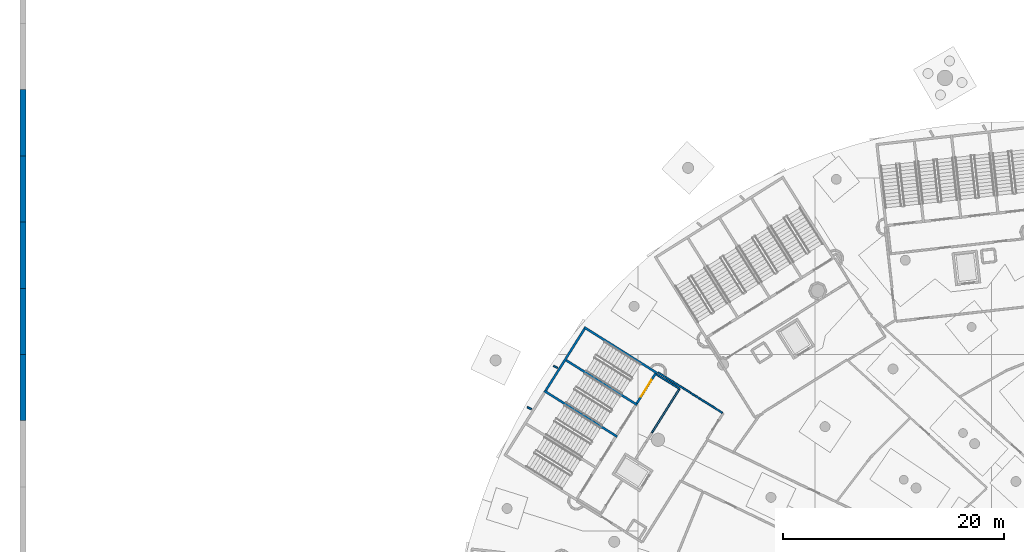
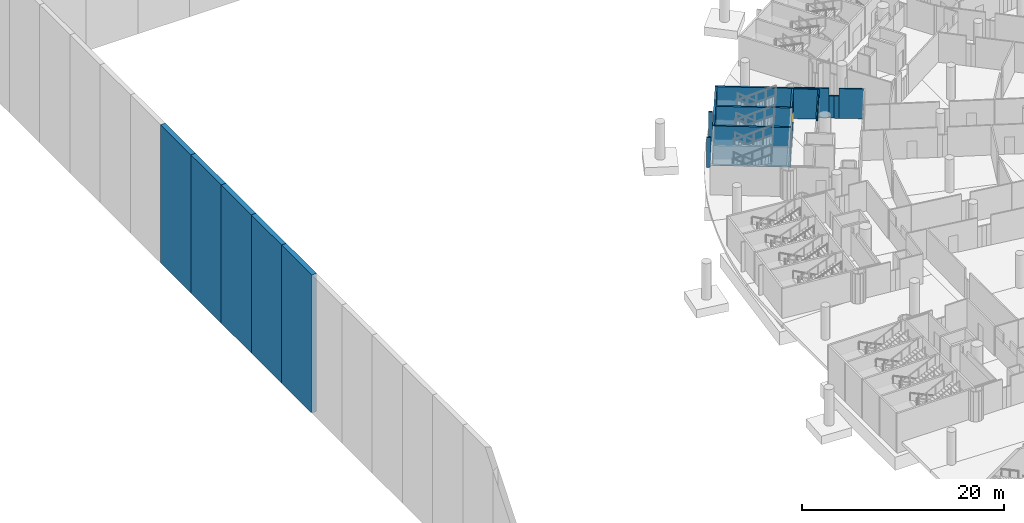
# One storey, part 73 of 142: 18 walls, 1 door, 1 opening.
"""IFC4 building model written with IfcOpenShell, lengths in metres."""

from ifc_helpers import new_model, si_unit, direction, frame, frame_2d, origin, place, context, subcontext, project, spatial, rectangle, extrude, material, layer, layer_set, type_object, element, fill, save


model = new_model("IFC4")

# Units and contexts
model_context = context("Model", 3, precision=1e-05, world=origin(), true_north=direction((0.0, 1.0)))
body_context = subcontext(model_context, "Body", "Model", "MODEL_VIEW")
ifc_project = project(units=[si_unit("LENGTHUNIT", "METRE"), si_unit("AREAUNIT", "SQUARE_METRE"), si_unit("VOLUMEUNIT", "CUBIC_METRE"), si_unit("PLANEANGLEUNIT", "RADIAN"), si_unit("MASSUNIT", "GRAM", prefix="KILO")], contexts=[model_context])

# Site, building, storey
site_placement = place(None, origin())
site = spatial("IfcSite", under=ifc_project, at=site_placement, CompositionType="ELEMENT")
building_placement = place(site_placement, origin())
building = spatial("IfcBuilding", under=site, at=building_placement, Name="Meseta Stadium", CompositionType="ELEMENT")
storey_placement = place(building_placement, frame((0.0, 0.0, -4.0)))
storey = spatial("IfcBuildingStorey", under=building, at=storey_placement, Name="B1", CompositionType="ELEMENT", Elevation=-4.0)

# Walls
ifc_material_1 = material(Name="Concrete C40/50", Category="concrete")
ifc_layer_1 = layer(ifc_material_1, 0.199951171875)
ifc_layer_set_1 = layer_set([ifc_layer_1], Name="Core divider wall 200")
wall_type_1 = type_object("IfcWallType", Name="Core divider wall 200", PredefinedType="SHEAR", material=ifc_layer_set_1)
wall_1_placement = place(storey_placement, frame((-86.696533203125, 79.5869140625, -1.199951171875), z_axis=(0.0, 0.0, 1.0), x_axis=(0.846713903605, -0.532048461553, 0.0)))
element("IfcWall", 1, at=wall_1_placement, inside=storey, type_object=wall_type_1, Name="Core 14 B1 stair A divider wall", PredefinedType="SHEAR", context=body_context, shape_type="SweptSolid", body=[
    extrude(rectangle(XDim=7.7998046875, YDim=0.199951171875, at=frame_2d((3.89990234375, 0.0))), origin(), (0.0, 0.0, 1.0), 4.800048828125),
])
ifc_material_2 = material(Name="Concrete C40/50", Category="concrete")
ifc_layer_2 = layer(ifc_material_2, 0.199951171875)
ifc_layer_set_2 = layer_set([ifc_layer_2], Name="Core shaft wall 200")
wall_type_2 = type_object("IfcWallType", Name="Core shaft wall 200", PredefinedType="SHEAR", material=ifc_layer_set_2)
for number, where, z_axis, x_axis, name in (
    (2, (-84.8876953125, 82.4658203125, -1.199951171875), (0.0, 0.0, 1.0), (0.846722763703, -0.532034361135, 0.0), "Core 14 B1 stair wall A-side"),
    (3, (-88.505615234375, 76.7080078125, -1.199951171875), (0.0, 0.0, 1.0), (0.846722763703, -0.532034361135, 0.0), "Core 14 B1 stair wall shared"),
):
    element("IfcWall", number, at=place(storey_placement, frame(where, z_axis=z_axis, x_axis=x_axis)), inside=storey, type_object=wall_type_2, Name=name, PredefinedType="SHEAR", context=body_context, shape_type="SweptSolid", body=[
        extrude(rectangle(XDim=7.800048828125, YDim=0.199951171875, at=frame_2d((3.89990234375, 0.0))), origin(), (0.0, 0.0, 1.0), 4.800048828125),
    ])
wall_2_placement = place(storey_placement, frame((-84.856201171875, 82.327880859375, -1.199951171875), z_axis=(0.0, 0.0, 1.0), x_axis=(-0.532038964807, -0.846719870989, 0.0)))
element("IfcWall", 4, at=wall_2_placement, inside=storey, type_object=wall_type_2, Name="Core 14 B1 stair A outer end wall", PredefinedType="SHEAR", context=body_context, shape_type="SweptSolid", body=[
    extrude(rectangle(XDim=6.60009765625, YDim=0.199951171875, at=frame_2d((3.300048828125, 0.0))), origin(), (0.0, 0.0, 1.0), 4.800048828125),
])

# Wall, opening, door
wall_3_placement = place(storey_placement, frame((-78.421142578125, 78.284423828125, -1.199951171875), z_axis=(0.0, 0.0, 1.0), x_axis=(-0.53206841829, -0.84670136309, 0.0)))
wall_3 = element("IfcWall", 5, at=wall_3_placement, inside=storey, type_object=wall_type_2, Name="Core 14 B1 stair A1 inner end wall", PredefinedType="SHEAR", context=body_context, shape_type="SweptSolid", body=[
    extrude(rectangle(XDim=3.199951171875, YDim=0.199951171875, at=frame_2d((1.60009765625, 0.0))), origin(), (0.0, 0.0, 1.0), 4.800048828125),
])
opening_placement = place(wall_3_placement, frame((0.699951171875, 0.0, 1.199951171875)))
opening = element("IfcOpeningElement", 6, at=opening_placement, cuts=wall_3, Name="Opening D187", PredefinedType="OPENING", context=body_context, shape_type="SweptSolid", body=[
    extrude(rectangle(XDim=1.800048828125, YDim=2.10009765625, at=frame_2d((0.89990234375, 1.050048828125))), frame((0.0, 0.10986328125, 0.0), z_axis=(0.0, -1.0, 0.0), x_axis=(1.0, 0.0, 0.0)), (0.0, 0.0, 1.0), 0.219970703125),
])
ifc_material_3 = material(Name="Steel", Category="steel")
door_type = type_object("IfcDoorType", Name="Stair door 1800x2100", OperationType="DOUBLE_DOOR_SINGLE_SWING", PredefinedType="DOOR", material=ifc_material_3)
door_placement = place(opening_placement, origin())
door = element("IfcDoor", 7, at=door_placement, inside=storey, type_object=door_type, Name="Stair A1 door 14 B1", OperationType="DOUBLE_DOOR_SINGLE_SWING", OverallHeight=2.10009765625, OverallWidth=1.800048828125, PredefinedType="DOOR", context=body_context, shape_type="SweptSolid", body=[
    extrude(rectangle(XDim=1.800048828125, YDim=2.10009765625, at=frame_2d((0.89990234375, 1.050048828125))), frame((0.0, 0.02490234375, 0.0), z_axis=(0.0, -1.0, 0.0), x_axis=(1.0, 0.0, 0.0)), (0.0, 0.0, 1.0), 0.050048828125),
])
fill(opening, door)

# Walls
ifc_material_4 = material(Name="Masonry blockwork", Category="masonry")
ifc_layer_3 = layer(ifc_material_4, 0.14990234375)
ifc_layer_set_3 = layer_set([ifc_layer_3], Name="Partition 150")
wall_type_3 = type_object("IfcWallType", Name="Partition 150", PredefinedType="PARTITIONING", material=ifc_layer_set_3)
wall_4_placement = place(storey_placement, frame((-87.309814453125, 78.798828125, 0.0), z_axis=(0.0, 0.0, 1.0), x_axis=(-0.901266152866, 0.433265878761, 0.0)))
element("IfcWall", 8, at=wall_4_placement, inside=storey, type_object=wall_type_3, Name="Partition B1 B1-cell12-3-0", PredefinedType="PARTITIONING", context=body_context, shape_type="SweptSolid", body=[
    extrude(rectangle(XDim=0.400634765625, YDim=0.14990234375, at=frame_2d((0.2001953125, 0.0))), origin(), (0.0, 0.0, 1.0), 3.60009765625),
])
wall_5_placement = place(storey_placement, frame((-72.366455078125, 74.71630859375, 0.0), z_axis=(0.0, 0.0, 1.0), x_axis=(-0.846749951858, 0.531991089237, 0.0)))
element("IfcWall", 9, at=wall_5_placement, inside=storey, type_object=wall_type_3, Name="Partition B1 B1-cell12-3-0", PredefinedType="PARTITIONING", context=body_context, shape_type="SweptSolid", body=[
    extrude(rectangle(XDim=2.41064453125, YDim=0.14990234375, at=frame_2d((1.205322265625, 0.0))), origin(), (0.0, 0.0, 1.0), 3.60009765625),
])
for number, where, z_axis, x_axis, name in (
    (10, (-74.40771484375, 75.998779296875, 0.0), (0.0, 0.0, 1.0), (-0.846781943841, 0.531940165418, 0.0), "Partition B1 B1-cell12-3-0"),
    (11, (-74.82861328125, 76.26318359375, 0.0), (0.0, 0.0, 1.0), (-0.846560685875, 0.532292217801, 0.0), "Partition B1 B1-cell12-3-0"),
):
    element("IfcWall", number, at=place(storey_placement, frame(where, z_axis=z_axis, x_axis=x_axis)), inside=storey, type_object=wall_type_3, Name=name, PredefinedType="PARTITIONING", context=body_context, shape_type="SweptSolid", body=[
        extrude(rectangle(XDim=0.4970703125, YDim=0.14990234375, at=frame_2d((0.24853515625, 0.0))), origin(), (0.0, 0.0, 1.0), 2.699951171875),
    ])
wall_6_placement = place(storey_placement, frame((-75.24951171875, 76.52783203125, 0.0), z_axis=(0.0, 0.0, 1.0), x_axis=(-0.846726843036, 0.532027868897, 0.0)))
element("IfcWall", 12, at=wall_6_placement, inside=storey, type_object=wall_type_3, Name="Partition B1 B1-cell12-3-0", PredefinedType="PARTITIONING", context=body_context, shape_type="SweptSolid", body=[
    extrude(rectangle(XDim=3.480224609375, YDim=0.14990234375, at=frame_2d((1.740234375, 0.0))), origin(), (0.0, 0.0, 1.0), 3.60009765625),
])
wall_7_placement = place(storey_placement, frame((-90.0361328125, 75.2275390625, 0.0), z_axis=(0.0, 0.0, 1.0), x_axis=(0.901328263677, -0.433136654068, 0.0)))
element("IfcWall", 13, at=wall_7_placement, inside=storey, type_object=wall_type_3, Name="Partition B1 B1-cell13-3-0", PredefinedType="PARTITIONING", context=body_context, shape_type="SweptSolid", body=[
    extrude(rectangle(XDim=0.410888671875, YDim=0.14990234375, at=frame_2d((0.20556640625, 0.0))), origin(), (0.0, 0.0, 1.0), 3.60009765625),
])
wall_8_placement = place(storey_placement, frame((-78.753173828125, 72.916259765625, 3.0), z_axis=(0.0, 0.0, 1.0), x_axis=(0.532043799918, 0.846716832813, 0.0)))
element("IfcWall", 14, at=wall_8_placement, inside=storey, type_object=wall_type_3, Name="Stair vestibule wall B1 core 14", PredefinedType="PARTITIONING", context=body_context, shape_type="SweptSolid", body=[
    extrude(rectangle(XDim=4.697021484375, YDim=0.14990234375, at=frame_2d((2.3486328125, 0.0))), origin(), (0.0, 0.0, 1.0), 0.60009765625),
])
wall_9_placement = place(storey_placement, frame((-76.254150390625, 76.893310546875, 0.0), z_axis=(0.0, 0.0, 1.0), x_axis=(-0.846755106727, 0.531982884341, 0.0)))
element("IfcWall", 15, at=wall_9_placement, inside=storey, type_object=wall_type_3, Name="Stair vestibule wall B1 core 14", PredefinedType="PARTITIONING", context=body_context, shape_type="SweptSolid", body=[
    extrude(rectangle(XDim=2.46484375, YDim=0.14990234375, at=frame_2d((1.232421875, 0.0))), origin(), (0.0, 0.0, 1.0), 3.60009765625),
])
ifc_material_5 = material(Name="Concrete C30/37", Category="concrete")
ifc_layer_4 = layer(ifc_material_5, 0.550048828125)
ifc_layer_set_4 = layer_set([ifc_layer_4], Name="Site retaining wall 550")
wall_type_4 = type_object("IfcWallType", Name="Site retaining wall 550", PredefinedType="SOLIDWALL", material=ifc_layer_set_4)
wall_10_placement = place(storey_placement, frame((-135.72509765625, 103.99951171875, -13.0), z_axis=(0.0, 0.0, 1.0), x_axis=(0.0, -1.0, 0.0)))
element("IfcWall", 16, at=wall_10_placement, inside=storey, type_object=wall_type_4, Name="Site retaining wall 150", PredefinedType="SOLIDWALL", context=body_context, shape_type="SweptSolid", body=[
    extrude(rectangle(XDim=5.999755859375, YDim=0.550048828125, at=frame_2d((3.0, 0.0))), origin(), (0.0, 0.0, 1.0), 16.75),
])
for number, where, z_axis, x_axis, name in (
    (17, (-135.72509765625, 97.999755859375, -13.0), (0.0, 0.0, 1.0), (0.0, -1.0, 0.0), "Site retaining wall 151"),
    (18, (-135.72509765625, 91.999755859375, -13.0), (0.0, 0.0, 1.0), (0.0, -1.0, 0.0), "Site retaining wall 152"),
    (19, (-135.72509765625, 85.999755859375, -13.0), (0.0, 0.0, 1.0), (0.0, -1.0, 0.0), "Site retaining wall 153"),
    (20, (-135.72509765625, 79.999755859375, -13.0), (0.0, 0.0, 1.0), (0.0, -1.0, 0.0), "Site retaining wall 154"),
):
    element("IfcWall", number, at=place(storey_placement, frame(where, z_axis=z_axis, x_axis=x_axis)), inside=storey, type_object=wall_type_4, Name=name, PredefinedType="SOLIDWALL", context=body_context, shape_type="SweptSolid", body=[
        extrude(rectangle(XDim=6.0, YDim=0.550048828125, at=frame_2d((3.0, 0.0))), origin(), (0.0, 0.0, 1.0), 16.75),
    ])

save(model, "model.ifc")
